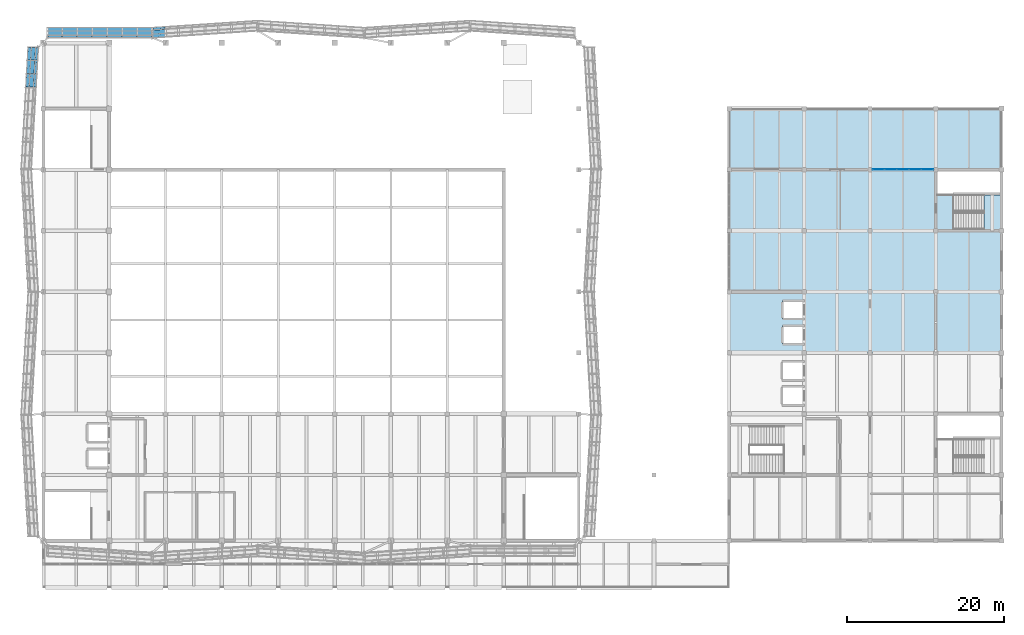
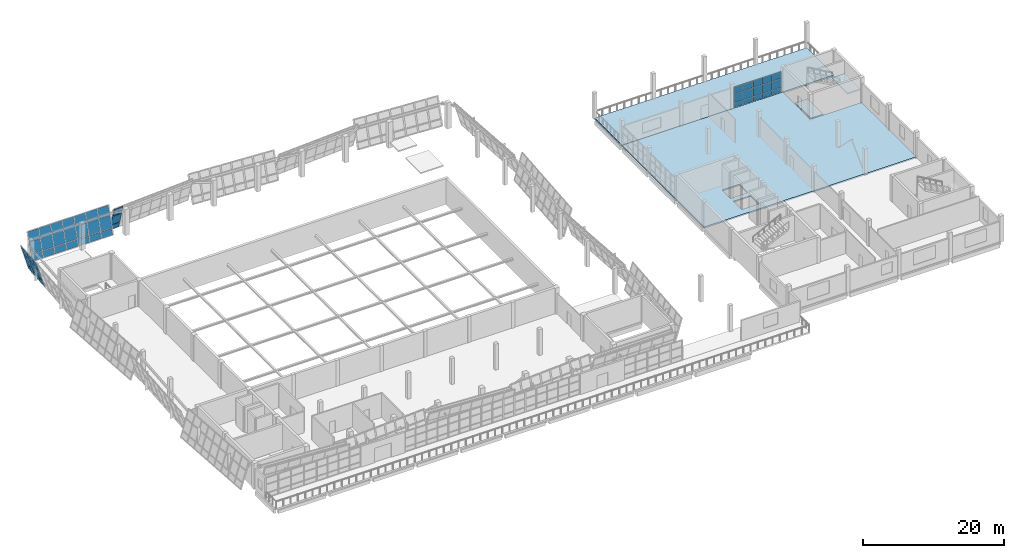
# One storey, part 42 of 67: 48 plates, 4 slabs, 5 elements without a shape of their own.
"""IFC4 building model written with IfcOpenShell, lengths in metres."""

from ifc_helpers import new_model, si_unit, direction, frame, origin, place, context, subcontext, project, spatial, polyline, outline, extrude, material, layer, layer_set, type_object, element, aggregate, save


model = new_model("IFC4")

# Units and contexts
model_context = context("Model", 3, precision=1e-05, world=origin(), true_north=direction((0.0, 1.0)))
body_context = subcontext(model_context, "Body", "Model", "MODEL_VIEW")
ifc_project = project(units=[si_unit("LENGTHUNIT", "METRE"), si_unit("AREAUNIT", "SQUARE_METRE"), si_unit("VOLUMEUNIT", "CUBIC_METRE"), si_unit("PLANEANGLEUNIT", "RADIAN"), si_unit("MASSUNIT", "GRAM", prefix="KILO")], contexts=[model_context])

# Site, building, storey
site_placement = place(None, origin())
site = spatial("IfcSite", under=ifc_project, at=site_placement, CompositionType="ELEMENT")
building_placement = place(site_placement, origin())
building = spatial("IfcBuilding", under=site, at=building_placement, Name="Pellamere Symphony Hall", CompositionType="ELEMENT")
storey_placement = place(building_placement, frame((0.0, 0.0, 19.5)))
storey = spatial("IfcBuildingStorey", under=building, at=storey_placement, Name="L04", CompositionType="ELEMENT", Elevation=19.5)

# Curtain wall, plates
ifc_material_1 = material(Name="Thermally Broken Anodised Aluminium 6063-T6 Curtain Wall", Category="aluminium")
curtain_wall_type_1 = type_object("IfcCurtainWallType", Name="Curtain Wall CW-01 (Tilted Faceted Crystal Low-Iron Curtain Wall)", PredefinedType="NOTDEFINED", material=ifc_material_1)
curtain_wall_1_placement = place(storey_placement, origin())
curtain_wall_1 = element("IfcCurtainWall", 1, at=curtain_wall_1_placement, inside=storey, type_object=curtain_wall_type_1, Name="Crystal Faceted Curtain Wall CW-CR14 (L04)", PredefinedType="NOTDEFINED")
ifc_material_2 = material(Name="Pre-Weathered Quartz-Zinc Faceted Cladding Cassette", Category="aluminium")
ifc_layer_1 = layer(ifc_material_2, 0.0400390625, Name="Pre-Weathered Quartz-Zinc Faceted Cladding Cassette")
ifc_layer_set_1 = layer_set([ifc_layer_1], Name="Pre-Weathered Quartz-Zinc Faceted Cladding Cassette")
plate_type_1 = type_object("IfcPlateType", Name="Facade Panel CL-01 40mm", PredefinedType="CURTAIN_PANEL", material=ifc_layer_set_1)
plate_1_placement = place(storey_placement, frame((64.22509765625, 94.271240234375, 0.072021484375), z_axis=(0.0, -0.958768952204, 0.284186727857), x_axis=(-1.0, 0.0, 0.0)))
plate_1 = element("IfcPlate", 2, at=plate_1_placement, type_object=plate_type_1, Name="CW1-036 crystal glass panel 1.1", PredefinedType="CURTAIN_PANEL", context=body_context, shape_type="SweptSolid", body=[
    extrude(outline(polyline([(0.0, 0.0), (1.802001953125, 0.0), (1.802001953125, -1.0137205902330328), (0.0, -1.0137205902330328), (0.0, 0.0)])), origin(), (0.0, 0.0, -1.0), 0.0400390625),
])
plate_2_placement = place(storey_placement, frame((64.22509765625, 94.58056640625, 1.115966796875), z_axis=(0.0, -0.95881629514, 0.284026956772), x_axis=(-1.0, 0.0, 0.0)))
plate_2 = element("IfcPlate", 3, at=plate_2_placement, type_object=plate_type_1, Name="CW1-036 crystal glass panel 1.2", PredefinedType="CURTAIN_PANEL", context=body_context, shape_type="SweptSolid", body=[
    extrude(outline(polyline([(0.0, 0.0), (1.802001953125, 0.0), (1.802001953125, -1.8962081095092473), (0.0, -1.8962081095092473), (0.0, 0.0)])), origin(), (0.0, 0.0, -1.0), 0.0400390625),
])
plate_3_placement = place(storey_placement, frame((64.22509765625, 95.140380859375, 3.005859375), z_axis=(0.0, -0.958794791584, 0.284099538245), x_axis=(-1.0, 0.0, 0.0)))
plate_3 = element("IfcPlate", 4, at=plate_3_placement, type_object=plate_type_1, Name="CW1-036 crystal glass panel 1.3", PredefinedType="CURTAIN_PANEL", context=body_context, shape_type="SweptSolid", body=[
    extrude(outline(polyline([(0.0, 0.0), (1.802001953125, 0.0), (1.802001953125, -1.4832361972628905), (0.0, -1.4832361972628905), (0.0, 0.0)])), origin(), (0.0, 0.0, -1.0), 0.0400390625),
])
plate_4_placement = place(storey_placement, frame((62.34814453125, 94.271240234375, 0.072021484375), z_axis=(0.0, -0.958768952204, 0.284186727857), x_axis=(-1.0, 0.0, 0.0)))
plate_4 = element("IfcPlate", 5, at=plate_4_placement, type_object=plate_type_1, Name="CW1-036 crystal glass panel 2.1", PredefinedType="CURTAIN_PANEL", context=body_context, shape_type="SweptSolid", body=[
    extrude(outline(polyline([(0.0, 0.0), (1.839111328125, 0.0), (1.839111328125, -1.0137205902330328), (0.0, -1.0137205902330328), (0.0, 0.0)])), origin(), (0.0, 0.0, -1.0), 0.0400390625),
])
plate_5_placement = place(storey_placement, frame((62.34814453125, 94.58056640625, 1.115966796875), z_axis=(0.0, -0.95881629514, 0.284026956772), x_axis=(-1.0, 0.0, 0.0)))
plate_5 = element("IfcPlate", 6, at=plate_5_placement, type_object=plate_type_1, Name="CW1-036 crystal glass panel 2.2", PredefinedType="CURTAIN_PANEL", context=body_context, shape_type="SweptSolid", body=[
    extrude(outline(polyline([(0.0, 0.0), (1.839111328125, 0.0), (1.839111328125, -1.8962081095092476), (0.0, -1.8962081095092476), (0.0, 0.0)])), origin(), (0.0, 0.0, -1.0), 0.0400390625),
])
plate_6_placement = place(storey_placement, frame((62.34814453125, 95.140380859375, 3.005859375), z_axis=(0.0, -0.958794791584, 0.284099538245), x_axis=(-1.0, 0.0, 0.0)))
plate_6 = element("IfcPlate", 7, at=plate_6_placement, type_object=plate_type_1, Name="CW1-036 crystal glass panel 2.3", PredefinedType="CURTAIN_PANEL", context=body_context, shape_type="SweptSolid", body=[
    extrude(outline(polyline([(0.0, 0.0), (1.839111328125, 0.0), (1.839111328125, -1.4832361972628905), (0.0, -1.4832361972628905), (0.0, 0.0)])), origin(), (0.0, 0.0, -1.0), 0.0400390625),
])
plate_7_placement = place(storey_placement, frame((60.433837890625, 94.271240234375, 0.072021484375), z_axis=(0.0, -0.958768952204, 0.284186727857), x_axis=(-1.0, 0.0, 0.0)))
plate_7 = element("IfcPlate", 8, at=plate_7_placement, type_object=plate_type_1, Name="CW1-036 crystal glass panel 3.1", PredefinedType="CURTAIN_PANEL", context=body_context, shape_type="SweptSolid", body=[
    extrude(outline(polyline([(0.0, 0.0), (1.839111328125, 0.0), (1.839111328125, -1.0137205902330328), (0.0, -1.0137205902330328), (0.0, 0.0)])), origin(), (0.0, 0.0, -1.0), 0.0400390625),
])
plate_8_placement = place(storey_placement, frame((60.433837890625, 94.58056640625, 1.115966796875), z_axis=(0.0, -0.95881629514, 0.284026956772), x_axis=(-1.0, 0.0, 0.0)))
plate_8 = element("IfcPlate", 9, at=plate_8_placement, type_object=plate_type_1, Name="CW1-036 crystal glass panel 3.2", PredefinedType="CURTAIN_PANEL", context=body_context, shape_type="SweptSolid", body=[
    extrude(outline(polyline([(0.0, 0.0), (1.839111328125, 0.0), (1.839111328125, -1.8962081095092476), (0.0, -1.8962081095092476), (0.0, 0.0)])), origin(), (0.0, 0.0, -1.0), 0.0400390625),
])
plate_9_placement = place(storey_placement, frame((60.433837890625, 95.140380859375, 3.005859375), z_axis=(0.0, -0.958794791584, 0.284099538245), x_axis=(-1.0, 0.0, 0.0)))
plate_9 = element("IfcPlate", 10, at=plate_9_placement, type_object=plate_type_1, Name="CW1-036 crystal glass panel 3.3", PredefinedType="CURTAIN_PANEL", context=body_context, shape_type="SweptSolid", body=[
    extrude(outline(polyline([(0.0, 0.0), (1.839111328125, 0.0), (1.839111328125, -1.4832361972628905), (0.0, -1.4832361972628905), (0.0, 0.0)])), origin(), (0.0, 0.0, -1.0), 0.0400390625),
])
plate_10_placement = place(storey_placement, frame((58.51953125, 94.271240234375, 0.072021484375), z_axis=(0.0, -0.958768952204, 0.284186727857), x_axis=(-1.0, 0.0, 0.0)))
plate_10 = element("IfcPlate", 11, at=plate_10_placement, type_object=plate_type_1, Name="CW1-036 crystal glass panel 4.1", PredefinedType="CURTAIN_PANEL", context=body_context, shape_type="SweptSolid", body=[
    extrude(outline(polyline([(0.0, 0.0), (1.839111328125, 0.0), (1.839111328125, -1.0137205902330328), (0.0, -1.0137205902330328), (0.0, 0.0)])), origin(), (0.0, 0.0, -1.0), 0.0400390625),
])
plate_11_placement = place(storey_placement, frame((58.51953125, 94.58056640625, 1.115966796875), z_axis=(0.0, -0.95881629514, 0.284026956772), x_axis=(-1.0, 0.0, 0.0)))
plate_11 = element("IfcPlate", 12, at=plate_11_placement, type_object=plate_type_1, Name="CW1-036 crystal glass panel 4.2", PredefinedType="CURTAIN_PANEL", context=body_context, shape_type="SweptSolid", body=[
    extrude(outline(polyline([(0.0, 0.0), (1.839111328125, 0.0), (1.839111328125, -1.8962081095092476), (0.0, -1.8962081095092476), (0.0, 0.0)])), origin(), (0.0, 0.0, -1.0), 0.0400390625),
])
plate_12_placement = place(storey_placement, frame((58.51953125, 95.140380859375, 3.005859375), z_axis=(0.0, -0.958794791584, 0.284099538245), x_axis=(-1.0, 0.0, 0.0)))
plate_12 = element("IfcPlate", 13, at=plate_12_placement, type_object=plate_type_1, Name="CW1-036 crystal glass panel 4.3", PredefinedType="CURTAIN_PANEL", context=body_context, shape_type="SweptSolid", body=[
    extrude(outline(polyline([(0.0, 0.0), (1.839111328125, 0.0), (1.839111328125, -1.4832361972628905), (0.0, -1.4832361972628905), (0.0, 0.0)])), origin(), (0.0, 0.0, -1.0), 0.0400390625),
])
plate_13_placement = place(storey_placement, frame((56.60546875, 94.271240234375, 0.072021484375), z_axis=(0.0, -0.958768952204, 0.284186727857), x_axis=(-1.0, 0.0, 0.0)))
plate_13 = element("IfcPlate", 14, at=plate_13_placement, type_object=plate_type_1, Name="CW1-036 crystal glass panel 5.1", PredefinedType="CURTAIN_PANEL", context=body_context, shape_type="SweptSolid", body=[
    extrude(outline(polyline([(0.0, 0.0), (1.83935546875, 0.0), (1.83935546875, -1.0137205902330328), (0.0, -1.0137205902330328), (0.0, 0.0)])), origin(), (0.0, 0.0, -1.0), 0.0400390625),
])
plate_14_placement = place(storey_placement, frame((56.60546875, 94.58056640625, 1.115966796875), z_axis=(0.0, -0.95881629514, 0.284026956772), x_axis=(-1.0, 0.0, 0.0)))
plate_14 = element("IfcPlate", 15, at=plate_14_placement, type_object=plate_type_1, Name="CW1-036 crystal glass panel 5.2", PredefinedType="CURTAIN_PANEL", context=body_context, shape_type="SweptSolid", body=[
    extrude(outline(polyline([(0.0, 0.0), (1.83935546875, 0.0), (1.83935546875, -1.8962081095092473), (0.0, -1.8962081095092473), (0.0, 0.0)])), origin(), (0.0, 0.0, -1.0), 0.0400390625),
])
plate_15_placement = place(storey_placement, frame((56.60546875, 95.140380859375, 3.005859375), z_axis=(0.0, -0.958794791584, 0.284099538245), x_axis=(-1.0, 0.0, 0.0)))
plate_15 = element("IfcPlate", 16, at=plate_15_placement, type_object=plate_type_1, Name="CW1-036 crystal glass panel 5.3", PredefinedType="CURTAIN_PANEL", context=body_context, shape_type="SweptSolid", body=[
    extrude(outline(polyline([(0.0, 0.0), (1.83935546875, 0.0), (1.83935546875, -1.4832361972628905), (0.0, -1.4832361972628905), (0.0, 0.0)])), origin(), (0.0, 0.0, -1.0), 0.0400390625),
])
plate_16_placement = place(storey_placement, frame((54.691162109375, 94.271240234375, 0.072021484375), z_axis=(0.0, -0.958768952204, 0.284186727857), x_axis=(-1.0, 0.0, 0.0)))
plate_16 = element("IfcPlate", 17, at=plate_16_placement, type_object=plate_type_1, Name="CW1-036 crystal glass panel 6.1", PredefinedType="CURTAIN_PANEL", context=body_context, shape_type="SweptSolid", body=[
    extrude(outline(polyline([(0.0, 0.0), (1.83935546875, 0.0), (1.83935546875, -1.0137205902330328), (0.0, -1.0137205902330328), (0.0, 0.0)])), origin(), (0.0, 0.0, -1.0), 0.0400390625),
])
plate_17_placement = place(storey_placement, frame((54.691162109375, 94.58056640625, 1.115966796875), z_axis=(0.0, -0.95881629514, 0.284026956772), x_axis=(-1.0, 0.0, 0.0)))
plate_17 = element("IfcPlate", 18, at=plate_17_placement, type_object=plate_type_1, Name="CW1-036 crystal glass panel 6.2", PredefinedType="CURTAIN_PANEL", context=body_context, shape_type="SweptSolid", body=[
    extrude(outline(polyline([(0.0, 0.0), (1.83935546875, 0.0), (1.83935546875, -1.8962081095092473), (0.0, -1.8962081095092473), (0.0, 0.0)])), origin(), (0.0, 0.0, -1.0), 0.0400390625),
])
plate_18_placement = place(storey_placement, frame((54.691162109375, 95.140380859375, 3.005859375), z_axis=(0.0, -0.958794791584, 0.284099538245), x_axis=(-1.0, 0.0, 0.0)))
plate_18 = element("IfcPlate", 19, at=plate_18_placement, type_object=plate_type_1, Name="CW1-036 crystal glass panel 6.3", PredefinedType="CURTAIN_PANEL", context=body_context, shape_type="SweptSolid", body=[
    extrude(outline(polyline([(0.0, 0.0), (1.83935546875, 0.0), (1.83935546875, -1.4832361972628905), (0.0, -1.4832361972628905), (0.0, 0.0)])), origin(), (0.0, 0.0, -1.0), 0.0400390625),
])
plate_19_placement = place(storey_placement, frame((52.77685546875, 94.271240234375, 0.072021484375), z_axis=(0.0, -0.958768952204, 0.284186727857), x_axis=(-1.0, 0.0, 0.0)))
plate_19 = element("IfcPlate", 20, at=plate_19_placement, type_object=plate_type_1, Name="CW1-036 crystal glass panel 7.1", PredefinedType="CURTAIN_PANEL", context=body_context, shape_type="SweptSolid", body=[
    extrude(outline(polyline([(0.0, 0.0), (1.8017578125, 0.0), (1.8017578125, -1.0137205902330328), (0.0, -1.0137205902330328), (0.0, 0.0)])), origin(), (0.0, 0.0, -1.0), 0.0400390625),
])
plate_20_placement = place(storey_placement, frame((52.77685546875, 94.58056640625, 1.115966796875), z_axis=(0.0, -0.95881629514, 0.284026956772), x_axis=(-1.0, 0.0, 0.0)))
plate_20 = element("IfcPlate", 21, at=plate_20_placement, type_object=plate_type_1, Name="CW1-036 crystal glass panel 7.2", PredefinedType="CURTAIN_PANEL", context=body_context, shape_type="SweptSolid", body=[
    extrude(outline(polyline([(0.0, 0.0), (1.8017578125, 0.0), (1.8017578125, -1.8962081095092473), (0.0, -1.8962081095092473), (0.0, 0.0)])), origin(), (0.0, 0.0, -1.0), 0.0400390625),
])
plate_21_placement = place(storey_placement, frame((52.77685546875, 95.140380859375, 3.005859375), z_axis=(0.0, -0.958794791584, 0.284099538245), x_axis=(-1.0, 0.0, 0.0)))
plate_21 = element("IfcPlate", 22, at=plate_21_placement, type_object=plate_type_1, Name="CW1-036 crystal glass panel 7.3", PredefinedType="CURTAIN_PANEL", context=body_context, shape_type="SweptSolid", body=[
    extrude(outline(polyline([(0.0, 0.0), (1.8017578125, 0.0), (1.8017578125, -1.4832361972628905), (0.0, -1.4832361972628905), (0.0, 0.0)])), origin(), (0.0, 0.0, -1.0), 0.0400390625),
])
aggregate(curtain_wall_1, [plate_1, plate_2, plate_3, plate_4, plate_5, plate_6, plate_7, plate_8, plate_9, plate_10, plate_11, plate_12, plate_13, plate_14, plate_15, plate_16, plate_17, plate_18, plate_19, plate_20, plate_21])

curtain_wall_type_2 = type_object("IfcCurtainWallType", Name="Curtain Wall CW-05 (Artists Wing North Studio Ribbon Curtain Wall)", PredefinedType="NOTDEFINED", material=ifc_material_1)
curtain_wall_2_placement = place(storey_placement, origin())
curtain_wall_2 = element("IfcCurtainWall", 23, at=curtain_wall_2_placement, inside=storey, type_object=curtain_wall_type_2, Name="Artists Wing North Studio Curtain Wall (L04 Bay 2)", PredefinedType="NOTDEFINED")
ifc_material_3 = material(Name="Triple Low-E Argon Acoustic Glazing 36mm", Category="glass")
ifc_layer_2 = layer(ifc_material_3, 0.035888671875, Name="Triple Low-E Argon Acoustic Glazing 36mm")
ifc_layer_set_2 = layer_set([ifc_layer_2], Name="Triple Low-E Argon Acoustic Glazing 36mm")
plate_type_2 = type_object("IfcPlateType", Name="Facade Panel GL-01 36mm", PredefinedType="CURTAIN_PANEL", material=ifc_layer_set_2)
plate_22_placement = place(storey_placement, frame((156.3349609375, 77.39990234375, 0.06005859375), z_axis=(0.0, -1.0, 0.0), x_axis=(1.0, 0.0, 0.0)))
plate_22 = element("IfcPlate", 24, at=plate_22_placement, type_object=plate_type_2, Name="CW5-145 crystal glass panel 1.1", PredefinedType="CURTAIN_PANEL", context=body_context, shape_type="SweptSolid", body=[
    extrude(outline(polyline([(0.0, 0.0), (1.47998046875, 0.0), (1.47998046875, 0.7978515625), (0.0, 0.7978515625), (0.0, 0.0)])), origin(), (0.0, 0.0, -1.0), 0.035888671875),
])
plate_23_placement = place(storey_placement, frame((156.3349609375, 77.39990234375, 0.91796875), z_axis=(0.0, -1.0, 0.0), x_axis=(1.0, 0.0, 0.0)))
plate_23 = element("IfcPlate", 25, at=plate_23_placement, type_object=plate_type_2, Name="CW5-145 crystal glass panel 1.2", PredefinedType="CURTAIN_PANEL", context=body_context, shape_type="SweptSolid", body=[
    extrude(outline(polyline([(0.0, 0.0), (1.47998046875, 0.0), (1.47998046875, 1.494140625), (0.0, 1.494140625), (0.0, 0.0)])), origin(), (0.0, 0.0, -1.0), 0.035888671875),
])
plate_24_placement = place(storey_placement, frame((156.3349609375, 77.39990234375, 2.471923828125), z_axis=(0.0, -1.0, 0.0), x_axis=(1.0, 0.0, 0.0)))
plate_24 = element("IfcPlate", 26, at=plate_24_placement, type_object=plate_type_2, Name="CW5-145 crystal glass panel 1.3", PredefinedType="CURTAIN_PANEL", context=body_context, shape_type="SweptSolid", body=[
    extrude(outline(polyline([(0.0, 0.0), (1.47998046875, 0.0), (1.47998046875, 1.16796875), (0.0, 1.16796875), (0.0, 0.0)])), origin(), (0.0, 0.0, -1.0), 0.035888671875),
])
plate_25_placement = place(storey_placement, frame((157.875, 77.39990234375, 0.06005859375), z_axis=(0.0, -1.0, 0.0), x_axis=(1.0, 0.0, 0.0)))
plate_25 = element("IfcPlate", 27, at=plate_25_placement, type_object=plate_type_2, Name="CW5-145 crystal glass panel 2.1", PredefinedType="CURTAIN_PANEL", context=body_context, shape_type="SweptSolid", body=[
    extrude(outline(polyline([(0.0, 0.0), (1.510009765625, 0.0), (1.510009765625, 0.7978515625), (0.0, 0.7978515625), (0.0, 0.0)])), origin(), (0.0, 0.0, -1.0), 0.035888671875),
])
plate_26_placement = place(storey_placement, frame((157.875, 77.39990234375, 0.91796875), z_axis=(0.0, -1.0, 0.0), x_axis=(1.0, 0.0, 0.0)))
plate_26 = element("IfcPlate", 28, at=plate_26_placement, type_object=plate_type_2, Name="CW5-145 crystal glass panel 2.2", PredefinedType="CURTAIN_PANEL", context=body_context, shape_type="SweptSolid", body=[
    extrude(outline(polyline([(0.0, 0.0), (1.510009765625, 0.0), (1.510009765625, 1.494140625), (0.0, 1.494140625), (0.0, 0.0)])), origin(), (0.0, 0.0, -1.0), 0.035888671875),
])
plate_27_placement = place(storey_placement, frame((157.875, 77.39990234375, 2.471923828125), z_axis=(0.0, -1.0, 0.0), x_axis=(1.0, 0.0, 0.0)))
plate_27 = element("IfcPlate", 29, at=plate_27_placement, type_object=plate_type_2, Name="CW5-145 crystal glass panel 2.3", PredefinedType="CURTAIN_PANEL", context=body_context, shape_type="SweptSolid", body=[
    extrude(outline(polyline([(0.0, 0.0), (1.510009765625, 0.0), (1.510009765625, 1.16796875), (0.0, 1.16796875), (0.0, 0.0)])), origin(), (0.0, 0.0, -1.0), 0.035888671875),
])
plate_28_placement = place(storey_placement, frame((159.445068359375, 77.39990234375, 0.06005859375), z_axis=(0.0, -1.0, 0.0), x_axis=(1.0, 0.0, 0.0)))
plate_28 = element("IfcPlate", 30, at=plate_28_placement, type_object=plate_type_2, Name="CW5-145 crystal glass panel 3.1", PredefinedType="CURTAIN_PANEL", context=body_context, shape_type="SweptSolid", body=[
    extrude(outline(polyline([(0.0, 0.0), (1.510009765625, 0.0), (1.510009765625, 0.7978515625), (0.0, 0.7978515625), (0.0, 0.0)])), origin(), (0.0, 0.0, -1.0), 0.035888671875),
])
plate_29_placement = place(storey_placement, frame((159.445068359375, 77.39990234375, 0.91796875), z_axis=(0.0, -1.0, 0.0), x_axis=(1.0, 0.0, 0.0)))
plate_29 = element("IfcPlate", 31, at=plate_29_placement, type_object=plate_type_2, Name="CW5-145 crystal glass panel 3.2", PredefinedType="CURTAIN_PANEL", context=body_context, shape_type="SweptSolid", body=[
    extrude(outline(polyline([(0.0, 0.0), (1.510009765625, 0.0), (1.510009765625, 1.494140625), (0.0, 1.494140625), (0.0, 0.0)])), origin(), (0.0, 0.0, -1.0), 0.035888671875),
])
plate_30_placement = place(storey_placement, frame((159.445068359375, 77.39990234375, 2.471923828125), z_axis=(0.0, -1.0, 0.0), x_axis=(1.0, 0.0, 0.0)))
plate_30 = element("IfcPlate", 32, at=plate_30_placement, type_object=plate_type_2, Name="CW5-145 crystal glass panel 3.3", PredefinedType="CURTAIN_PANEL", context=body_context, shape_type="SweptSolid", body=[
    extrude(outline(polyline([(0.0, 0.0), (1.510009765625, 0.0), (1.510009765625, 1.16796875), (0.0, 1.16796875), (0.0, 0.0)])), origin(), (0.0, 0.0, -1.0), 0.035888671875),
])
plate_31_placement = place(storey_placement, frame((161.014892578125, 77.39990234375, 0.06005859375), z_axis=(0.0, -1.0, 0.0), x_axis=(1.0, 0.0, 0.0)))
plate_31 = element("IfcPlate", 33, at=plate_31_placement, type_object=plate_type_2, Name="CW5-145 crystal glass panel 4.1", PredefinedType="CURTAIN_PANEL", context=body_context, shape_type="SweptSolid", body=[
    extrude(outline(polyline([(0.0, 0.0), (1.510009765625, 0.0), (1.510009765625, 0.7978515625), (0.0, 0.7978515625), (0.0, 0.0)])), origin(), (0.0, 0.0, -1.0), 0.035888671875),
])
plate_32_placement = place(storey_placement, frame((161.014892578125, 77.39990234375, 0.91796875), z_axis=(0.0, -1.0, 0.0), x_axis=(1.0, 0.0, 0.0)))
plate_32 = element("IfcPlate", 34, at=plate_32_placement, type_object=plate_type_2, Name="CW5-145 crystal glass panel 4.2", PredefinedType="CURTAIN_PANEL", context=body_context, shape_type="SweptSolid", body=[
    extrude(outline(polyline([(0.0, 0.0), (1.510009765625, 0.0), (1.510009765625, 1.494140625), (0.0, 1.494140625), (0.0, 0.0)])), origin(), (0.0, 0.0, -1.0), 0.035888671875),
])
plate_33_placement = place(storey_placement, frame((161.014892578125, 77.39990234375, 2.471923828125), z_axis=(0.0, -1.0, 0.0), x_axis=(1.0, 0.0, 0.0)))
plate_33 = element("IfcPlate", 35, at=plate_33_placement, type_object=plate_type_2, Name="CW5-145 crystal glass panel 4.3", PredefinedType="CURTAIN_PANEL", context=body_context, shape_type="SweptSolid", body=[
    extrude(outline(polyline([(0.0, 0.0), (1.510009765625, 0.0), (1.510009765625, 1.16796875), (0.0, 1.16796875), (0.0, 0.0)])), origin(), (0.0, 0.0, -1.0), 0.035888671875),
])
plate_34_placement = place(storey_placement, frame((162.5849609375, 77.39990234375, 0.06005859375), z_axis=(0.0, -1.0, 0.0), x_axis=(1.0, 0.0, 0.0)))
plate_34 = element("IfcPlate", 36, at=plate_34_placement, type_object=plate_type_2, Name="CW5-145 crystal glass panel 5.1", PredefinedType="CURTAIN_PANEL", context=body_context, shape_type="SweptSolid", body=[
    extrude(outline(polyline([(0.0, 0.0), (1.47998046875, 0.0), (1.47998046875, 0.7978515625), (0.0, 0.7978515625), (0.0, 0.0)])), origin(), (0.0, 0.0, -1.0), 0.035888671875),
])
plate_35_placement = place(storey_placement, frame((162.5849609375, 77.39990234375, 0.91796875), z_axis=(0.0, -1.0, 0.0), x_axis=(1.0, 0.0, 0.0)))
plate_35 = element("IfcPlate", 37, at=plate_35_placement, type_object=plate_type_2, Name="CW5-145 crystal glass panel 5.2", PredefinedType="CURTAIN_PANEL", context=body_context, shape_type="SweptSolid", body=[
    extrude(outline(polyline([(0.0, 0.0), (1.47998046875, 0.0), (1.47998046875, 1.494140625), (0.0, 1.494140625), (0.0, 0.0)])), origin(), (0.0, 0.0, -1.0), 0.035888671875),
])
plate_36_placement = place(storey_placement, frame((162.5849609375, 77.39990234375, 2.471923828125), z_axis=(0.0, -1.0, 0.0), x_axis=(1.0, 0.0, 0.0)))
plate_36 = element("IfcPlate", 38, at=plate_36_placement, type_object=plate_type_2, Name="CW5-145 crystal glass panel 5.3", PredefinedType="CURTAIN_PANEL", context=body_context, shape_type="SweptSolid", body=[
    extrude(outline(polyline([(0.0, 0.0), (1.47998046875, 0.0), (1.47998046875, 1.16796875), (0.0, 1.16796875), (0.0, 0.0)])), origin(), (0.0, 0.0, -1.0), 0.035888671875),
])
aggregate(curtain_wall_2, [plate_22, plate_23, plate_24, plate_25, plate_26, plate_27, plate_28, plate_29, plate_30, plate_31, plate_32, plate_33, plate_34, plate_35, plate_36])

curtain_wall_3_placement = place(storey_placement, origin())
curtain_wall_3 = element("IfcCurtainWall", 39, at=curtain_wall_3_placement, inside=storey, type_object=curtain_wall_type_1, Name="Crystal Faceted Curtain Wall CW-CR15 (L04)", PredefinedType="NOTDEFINED")
ifc_material_4 = material(Name="Triple Laminated Acoustic Crystal Glazing 42mm", Category="glass")
ifc_layer_3 = layer(ifc_material_4, 0.0419921875, Name="Triple Laminated Acoustic Crystal Glazing 42mm")
ifc_layer_set_3 = layer_set([ifc_layer_3], Name="Triple Laminated Acoustic Crystal Glazing 42mm")
plate_type_3 = type_object("IfcPlateType", Name="Facade Panel GL-02 42mm", PredefinedType="CURTAIN_PANEL", material=ifc_layer_set_3)
plate_37_placement = place(storey_placement, frame((49.724365234375, 93.025146484375, 0.072021484375), z_axis=(0.957335015609, -0.05529186423, 0.283641459661), x_axis=(-0.057653906339, -0.998336629934, -2.0413352e-05)))
plate_37 = element("IfcPlate", 40, at=plate_37_placement, type_object=plate_type_3, Name="CW1-041 crystal glass panel 1.1", PredefinedType="CURTAIN_PANEL", context=body_context, shape_type="SweptSolid", body=[
    extrude(outline(polyline([(0.0, 0.0), (1.6237882492399522, 0.0), (1.6403776886752781, -1.013584832120558), (0.016575363774598662, -1.0135156986274818), (0.0, 0.0)])), origin(), (0.0, 0.0, -1.0), 0.0419921875),
])
plate_38_placement = place(storey_placement, frame((49.4150390625, 93.025146484375, 1.115966796875), z_axis=(0.957353300502, -0.055220830436, 0.283593578744), x_axis=(-0.057585007883, -0.99834060664, 0.0)))
plate_38 = element("IfcPlate", 41, at=plate_38_placement, type_object=plate_type_3, Name="CW1-041 crystal glass panel 1.2", PredefinedType="CURTAIN_PANEL", context=body_context, shape_type="SweptSolid", body=[
    extrude(outline(polyline([(0.0, 0.0), (1.6237882534451713, 3.469446951953614e-18), (1.654802054077483, -1.895954466420271), (0.031013800632311597, -1.895954466420271), (0.0, 0.0)])), origin(), (0.0, 0.0, -1.0), 0.0419921875),
])
plate_39_placement = place(storey_placement, frame((48.855224609375, 93.025146484375, 3.005859375), z_axis=(0.957376516406, -0.055222169546, 0.283514934043), x_axis=(-0.057585007883, -0.99834060664, 0.0)))
plate_39 = element("IfcPlate", 42, at=plate_39_placement, type_object=plate_type_3, Name="CW1-041 crystal glass panel 1.3", PredefinedType="CURTAIN_PANEL", context=body_context, shape_type="SweptSolid", body=[
    extrude(outline(polyline([(0.0, 0.0), (1.6237882534451713, 3.469446951953614e-18), (1.648039752126376, -1.482968572173219), (0.024251498681204672, -1.482968572173219), (0.0, 0.0)])), origin(), (0.0, 0.0, -1.0), 0.0419921875),
])
plate_40_placement = place(storey_placement, frame((49.62646484375, 91.329345703125, 0.072021484375), z_axis=(0.957370600532, -0.055238339036, 0.283531760369), x_axis=(-0.057602168051, -0.998339616682, 0.0)))
plate_40 = element("IfcPlate", 43, at=plate_40_placement, type_object=plate_type_3, Name="CW1-041 crystal glass panel 2.1", PredefinedType="CURTAIN_PANEL", context=body_context, shape_type="SweptSolid", body=[
    extrude(outline(polyline([(0.0, 0.0), (1.6614500501978287, -3.469446951953614e-18), (1.6780303617535524, -1.0135156244351138), (0.01658031155572367, -1.0135156244351138), (0.0, 0.0)])), origin(), (0.0, 0.0, -1.0), 0.0419921875),
])
plate_41_placement = place(storey_placement, frame((49.3173828125, 91.329345703125, 1.115966796875), z_axis=(0.957352427535, -0.055237290491, 0.283593320148), x_axis=(-0.057602168051, -0.998339616682, 0.0)))
plate_41 = element("IfcPlate", 44, at=plate_41_placement, type_object=plate_type_3, Name="CW1-041 crystal glass panel 2.2", PredefinedType="CURTAIN_PANEL", context=body_context, shape_type="SweptSolid", body=[
    extrude(outline(polyline([(0.0, 0.0), (1.6614500501978287, 3.469446951953614e-18), (1.6924730928542548, -1.8959543152177933), (0.031023042656426136, -1.8959543152177933), (0.0, 0.0)])), origin(), (0.0, 0.0, -1.0), 0.0419921875),
])
plate_42_placement = place(storey_placement, frame((48.75732421875, 91.329345703125, 3.005859375), z_axis=(0.957375643376, -0.055238629998, 0.283514675506), x_axis=(-0.057602168051, -0.998339616682, 0.0)))
plate_42 = element("IfcPlate", 45, at=plate_42_placement, type_object=plate_type_3, Name="CW1-041 crystal glass panel 2.3", PredefinedType="CURTAIN_PANEL", context=body_context, shape_type="SweptSolid", body=[
    extrude(outline(polyline([(0.0, 0.0), (1.6614500501978287, 3.469446951953614e-18), (1.6857087757564575, -1.4829684539719754), (0.02425872555862878, -1.4829684539719754), (0.0, 0.0)])), origin(), (0.0, 0.0, -1.0), 0.0419921875),
])
plate_43_placement = place(storey_placement, frame((49.526611328125, 89.595947265625, 0.072021484375), z_axis=(0.957304871124, -0.05524267768, 0.283752762604), x_axis=(-0.057610619545, -0.998339129012, 0.0)))
plate_43 = element("IfcPlate", 46, at=plate_43_placement, type_object=plate_type_3, Name="CW1-041 crystal glass panel 3.1", PredefinedType="CURTAIN_PANEL", context=body_context, shape_type="SweptSolid", body=[
    extrude(outline(polyline([(0.0, 0.0), (1.6612063149993754, 0.0), (1.677803124341095, -1.0135847182066644), (0.01659680934171927, -1.0135847182066644), (0.0, 0.0)])), origin(), (0.0, 0.0, -1.0), 0.0419921875),
])
plate_44_placement = place(storey_placement, frame((49.21728515625, 89.595947265625, 1.115966796875), z_axis=(0.957351997497, -0.055245397176, 0.283593192759), x_axis=(-0.057610619545, -0.998339129012, 0.0)))
plate_44 = element("IfcPlate", 47, at=plate_44_placement, type_object=plate_type_3, Name="CW1-041 crystal glass panel 3.2", PredefinedType="CURTAIN_PANEL", context=body_context, shape_type="SweptSolid", body=[
    extrude(outline(polyline([(0.0, 0.0), (1.6612063149993754, 3.469446951953614e-18), (1.6922339094127932, -1.8959542407330272), (0.031027594413417556, -1.8959542407330272), (0.0, 0.0)])), origin(), (0.0, 0.0, -1.0), 0.0419921875),
])
plate_45_placement = place(storey_placement, frame((48.657470703125, 89.595947265625, 3.005859375), z_axis=(0.957330592308, -0.055244161959, 0.283665682802), x_axis=(-0.057610619545, -0.998339129012, 0.0)))
plate_45 = element("IfcPlate", 48, at=plate_45_placement, type_object=plate_type_3, Name="CW1-041 crystal glass panel 3.3", PredefinedType="CURTAIN_PANEL", context=body_context, shape_type="SweptSolid", body=[
    extrude(outline(polyline([(0.0, 0.0), (1.6612063149993754, 0.0), (1.6854826649348056, -1.4830375166207674), (0.024276349935430055, -1.4830375166207674), (0.0, 0.0)])), origin(), (0.0, 0.0, -1.0), 0.0419921875),
])
aggregate(curtain_wall_3, [plate_37, plate_38, plate_39, plate_40, plate_41, plate_42, plate_43, plate_44, plate_45])

curtain_wall_4_placement = place(storey_placement, origin())
curtain_wall_4 = element("IfcCurtainWall", 49, at=curtain_wall_4_placement, inside=storey, type_object=curtain_wall_type_1, Name="Crystal Faceted Curtain Wall CW-CR13 (L04)", PredefinedType="NOTDEFINED")
ifc_material_5 = material(Name="Vacuum-Insulated Bronze-Anodised Aluminium Spandrel Panel", Category="aluminium")
ifc_layer_4 = layer(ifc_material_5, 0.06494140625, Name="Vacuum-Insulated Bronze-Anodised Aluminium Spandrel Panel")
ifc_layer_set_4 = layer_set([ifc_layer_4], Name="Vacuum-Insulated Bronze-Anodised Aluminium Spandrel Panel")
plate_type_4 = type_object("IfcPlateType", Name="Facade Panel SP-01 65mm", PredefinedType="CURTAIN_PANEL", material=ifc_layer_set_4)
plate_46_placement = place(storey_placement, frame((65.9501953125, 95.671630859375, 0.072021484375), z_axis=(-0.063762570737, 0.956883416201, 0.283387477443), x_axis=(-0.99778720991, -0.066488222573, 0.0)))
plate_46 = element("IfcPlate", 50, at=plate_46_placement, type_object=plate_type_4, Name="CW1-033 crystal glass panel 8.1", PredefinedType="CURTAIN_PANEL", context=body_context, shape_type="SweptSolid", body=[
    extrude(outline(polyline([(0.0, 0.0), (1.578933301087088, 0.0), (1.598071390543416, 1.0134705527233365), (0.01913808945632789, 1.0134705527233365), (0.0, 0.0)])), origin(), (0.0, 0.0, -1.0), 0.06494140625),
])
plate_47_placement = place(storey_placement, frame((65.9501953125, 95.362548828125, 1.115966796875), z_axis=(-0.063909038912, 0.95685621369, 0.283446328374), x_axis=(-0.997776940229, -0.066642160428, 0.0)))
plate_47 = element("IfcPlate", 51, at=plate_47_placement, type_object=plate_type_4, Name="CW1-033 crystal glass panel 8.2", PredefinedType="CURTAIN_PANEL", context=body_context, shape_type="SweptSolid", body=[
    extrude(outline(polyline([(0.0, 0.0), (1.5789495523546406, -3.469446951953614e-18), (1.6148413018427117, 1.8958683965105065), (0.035891749488070966, 1.8958683965105065), (0.0, 0.0)])), origin(), (0.0, 0.0, -1.0), 0.06494140625),
])
plate_48_placement = place(storey_placement, frame((65.9501953125, 94.802490234375, 3.005859375), z_axis=(-0.063762906258, 0.95688845135, 0.283370399756), x_axis=(-0.99778720991, -0.066488222573, 0.0)))
plate_48 = element("IfcPlate", 52, at=plate_48_placement, type_object=plate_type_4, Name="CW1-033 crystal glass panel 8.3", PredefinedType="CURTAIN_PANEL", context=body_context, shape_type="SweptSolid", body=[
    extrude(outline(polyline([(0.0, 0.0), (1.578933301087088, 0.0), (1.6069343225562702, 1.4829025133293297), (0.028001021469182028, 1.4829025133293297), (0.0, 0.0)])), origin(), (0.0, 0.0, -1.0), 0.06494140625),
])
aggregate(curtain_wall_4, [plate_46, plate_47, plate_48])

# Stair, slabs
ifc_material_6 = material(Name="Concrete 40 MPa", Category="concrete")
stair_type = type_object("IfcStairType", Name="Stair ST-B W2050", PredefinedType="HALF_TURN_STAIR", material=ifc_material_6)
stair_placement = place(storey_placement, origin())
stair = element("IfcStair", 53, at=stair_placement, inside=storey, type_object=stair_type, Name="Exit Stair ST05-L04 (L04 to L05)", PredefinedType="HALF_TURN_STAIR")
ifc_layer_5 = layer(ifc_material_6, 0.219970703125, Name="Concrete 40 MPa")
ifc_layer_set_5 = layer_set([ifc_layer_5], Name="Concrete 40 MPa")
slab_type_1 = type_object("IfcSlabType", Name="Stair Landing SL-01 220mm", PredefinedType="LANDING", material=ifc_layer_set_5)
slab_1_placement = place(storey_placement, frame((0.0, 0.0, -0.219970703125)))
slab_1 = element("IfcSlab", 54, at=slab_1_placement, type_object=slab_type_1, Name="Stair ST05-L04 Bottom Landing (L04)", PredefinedType="LANDING", context=body_context, shape_type="SweptSolid", body=[
    extrude(outline(polyline([(164.56005859375, 69.760009765625), (166.625, 69.760009765625), (166.625, 74.199951171875), (164.56005859375, 74.199951171875), (164.56005859375, 69.760009765625)])), origin(), (0.0, 0.0, 1.0), 0.219970703125),
])
slab_2_placement = place(storey_placement, frame((0.0, 0.0, 2.030029296875)))
slab_2 = element("IfcSlab", 55, at=slab_2_placement, type_object=slab_type_1, Name="Stair ST05-L04 Half Landing (L04)", PredefinedType="LANDING", context=body_context, shape_type="SweptSolid", body=[
    extrude(outline(polyline([(170.574951171875, 69.760009765625), (172.639892578125, 69.760009765625), (172.639892578125, 74.199951171875), (170.574951171875, 74.199951171875), (170.574951171875, 69.760009765625)])), origin(), (0.0, 0.0, 1.0), 0.219970703125),
])
aggregate(stair, [slab_1, slab_2])

# Slabs
ifc_material_7 = material(Name="Concrete 35 MPa", Category="concrete")
ifc_layer_6 = layer(ifc_material_7, 0.239990234375, Name="Concrete 35 MPa")
ifc_layer_set_6 = layer_set([ifc_layer_6], Name="Concrete 35 MPa")
slab_type_2 = type_object("IfcSlabType", Name="Structural Slab FS-05 240mm", PredefinedType="FLOOR", material=ifc_layer_set_6)
slab_3_placement = place(storey_placement, frame((0.0, 0.0, -0.239990234375)))
element("IfcSlab", 56, at=slab_3_placement, inside=storey, type_object=slab_type_2, Name="Floor Slab L04-V5B-1", PredefinedType="FLOOR", context=body_context, shape_type="SweptSolid", body=[
    extrude(outline(polyline([(172.800048828125, 54.0), (138.0, 54.0), (138.0, 77.39990234375), (164.39990234375, 77.39990234375), (164.39990234375, 69.60009765625), (172.800048828125, 69.60009765625), (172.800048828125, 54.0)]), holes=[polyline([(144.800048828125, 57.47509765625), (144.800048828125, 55.125), (147.60009765625, 55.125), (147.60009765625, 57.47509765625), (144.800048828125, 57.47509765625)]), polyline([(147.60009765625, 60.675048828125), (144.800048828125, 60.675048828125), (144.800048828125, 58.324951171875), (147.60009765625, 58.324951171875), (147.60009765625, 60.675048828125)])]), origin(), (0.0, 0.0, 1.0), 0.239990234375),
])
ifc_layer_7 = layer(ifc_material_6, 0.25, Name="Concrete 40 MPa")
ifc_layer_set_7 = layer_set([ifc_layer_7], Name="Concrete 40 MPa")
slab_type_3 = type_object("IfcSlabType", Name="Structural Slab TS-02 250mm", PredefinedType="ROOF", material=ifc_layer_set_7)
slab_4_placement = place(storey_placement, frame((0.0, 0.0, -0.25)))
element("IfcSlab", 57, at=slab_4_placement, inside=storey, type_object=slab_type_3, Name="Choral Wing North Terrace 1", PredefinedType="ROOF", context=body_context, shape_type="SweptSolid", body=[
    extrude(outline(polyline([(138.0, 77.39990234375), (138.0, 85.199951171875), (172.800048828125, 85.199951171875), (172.800048828125, 77.39990234375), (164.39990234375, 77.39990234375), (138.0, 77.39990234375)])), origin(), (0.0, 0.0, 1.0), 0.25),
])

save(model, "model.ifc")
